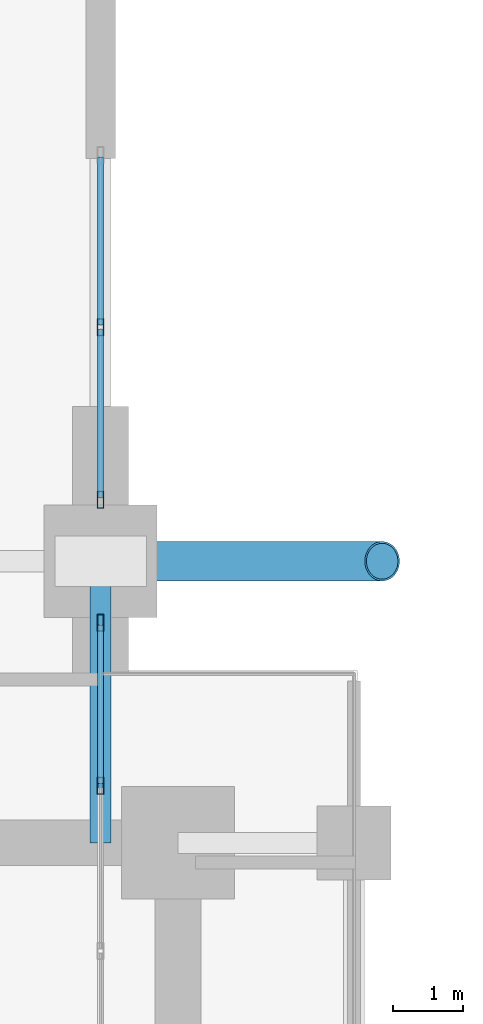
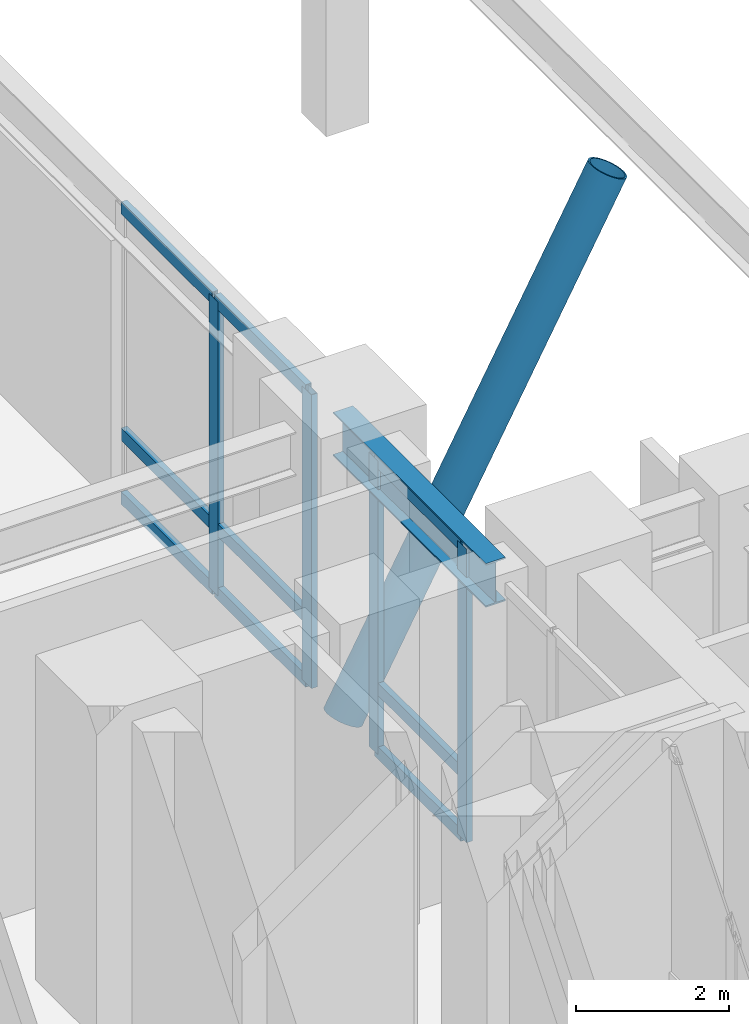
# One storey, part 11 of 27: 14 members, 1 beam, 2 elements without a shape of their own.
"""IFC4 building model written with IfcOpenShell, lengths in metres."""

from ifc_helpers import new_model, si_unit, direction, frame, origin, origin_2d, place, context, subcontext, project, spatial, hollow_rectangle, hollow_circle, i_section, extrude, material, layer, layer_set, material_profile, profile_set, type_object, element, aggregate, save


model = new_model("IFC4")

# Units and contexts
model_context = context("Model", 3, precision=1e-05, world=origin(), true_north=direction((0.0, 1.0)))
body_context = subcontext(model_context, "Body", "Model", "MODEL_VIEW")
ifc_project = project(units=[si_unit("LENGTHUNIT", "METRE"), si_unit("AREAUNIT", "SQUARE_METRE"), si_unit("VOLUMEUNIT", "CUBIC_METRE"), si_unit("PLANEANGLEUNIT", "RADIAN"), si_unit("MASSUNIT", "GRAM", prefix="KILO")], contexts=[model_context])

# Site, building, storey
site_placement = place(None, origin())
site = spatial("IfcSite", under=ifc_project, at=site_placement, CompositionType="ELEMENT")
building_placement = place(site_placement, origin())
building = spatial("IfcBuilding", under=site, at=building_placement, Name="Voryun Gate Residences", CompositionType="ELEMENT")
storey_placement = place(building_placement, frame((0.0, 0.0, 5.199951171875)))
storey = spatial("IfcBuildingStorey", under=building, at=storey_placement, Name="L01", CompositionType="ELEMENT", Elevation=5.199951171875)

# Beam
ifc_material_1 = material(Name="Steel SM355", Category="steel")
ifc_material_profile_1 = material_profile(ifc_material_1, i_section(OverallWidth=0.300048828125, OverallDepth=0.699951171875, WebThickness=0.012939453125, FlangeThickness=0.02392578125, FilletRadius=0.01806640625, at=origin_2d()), Name="H-700x300x13x24")
ifc_profile_set_1 = profile_set([ifc_material_profile_1], Name="Steel SM355")
beam_type = type_object("IfcBeamType", Name="BM_GIRD_700", PredefinedType="USERDEFINED", material=ifc_profile_set_1)
beam_placement = place(storey_placement, frame((-13.5, 7.39990234375, 4.570068359375), z_axis=(0.0, 1.0, 0.0), x_axis=(-1.0, 0.0, 0.0)))
element("IfcBeam", 1, at=beam_placement, inside=storey, type_object=beam_type, Name="BM-L01-PWYA-+7.4", ObjectType="GIRDER", PredefinedType="USERDEFINED", context=body_context, shape_type="SweptSolid", body=[
    extrude(i_section(OverallWidth=0.300048828125, OverallDepth=0.699951171875, WebThickness=0.012939453125, FlangeThickness=0.02392578125, FilletRadius=0.01806640625, at=origin_2d()), origin(), (0.0, 0.0, 1.0), 4.0),
])

# Curtain wall, members
ifc_material_2 = material(Name="Anodised aluminium", Category="aluminium")
ifc_layer = layer(ifc_material_2, 0.239990234375, Name="CW_SYS_ARCH_DARK_GLASS")
ifc_layer_set = layer_set([ifc_layer], Name="Anodised aluminium")
curtain_wall_type = type_object("IfcCurtainWallType", Name="CW_SYS_ARCH_DARK_GLASS", PredefinedType="NOTDEFINED", material=ifc_layer_set)
curtain_wall_1_placement = place(storey_placement, origin())
curtain_wall_1 = element("IfcCurtainWall", 2, at=curtain_wall_1_placement, inside=storey, type_object=curtain_wall_type, Name="Curtain wall CW2-L01-WP-M", PredefinedType="NOTDEFINED")
ifc_material_3 = material(Name="Anodised aluminium", Category="aluminium")
ifc_material_profile_2 = material_profile(ifc_material_3, hollow_rectangle(XDim=0.090087890625, YDim=0.239990234375, WallThickness=0.006103515625, at=origin_2d()), Name="ALU-MULL-240x90x6")
ifc_profile_set_2 = profile_set([ifc_material_profile_2], Name="Anodised aluminium")
member_type_1 = type_object("IfcMemberType", Name="CW_MULL_ARCH", PredefinedType="MULLION", material=ifc_profile_set_2)
member_1_placement = place(storey_placement, frame((-13.5, 8.20947265625, 0.0), z_axis=(0.0, 0.0, 1.0), x_axis=(-1.0, 0.0, 0.0)))
member_1 = element("IfcMember", 3, at=member_1_placement, type_object=member_type_1, Name="CW2 mullion 9", PredefinedType="MULLION", context=body_context, shape_type="SweptSolid", body=[
    extrude(hollow_rectangle(XDim=0.090087890625, YDim=0.239990234375, WallThickness=0.006103515625, at=origin_2d()), origin(), (0.0, 0.0, 1.0), 4.699951171875),
])
member_2_placement = place(storey_placement, frame((-13.5, 10.52490234375, 0.0), z_axis=(0.0, 0.0, 1.0), x_axis=(-1.0, 0.0, 0.0)))
member_2 = element("IfcMember", 4, at=member_2_placement, type_object=member_type_1, Name="CW2 mullion 10", PredefinedType="MULLION", context=body_context, shape_type="SweptSolid", body=[
    extrude(hollow_rectangle(XDim=0.090087890625, YDim=0.239990234375, WallThickness=0.006103515625, at=origin_2d()), origin(), (0.0, 0.0, 1.0), 4.699951171875),
])

curtain_wall_2_placement = place(storey_placement, origin())
curtain_wall_2 = element("IfcCurtainWall", 5, at=curtain_wall_2_placement, inside=storey, type_object=curtain_wall_type, Name="Curtain wall CW2-L01-WP-N", PredefinedType="NOTDEFINED")
member_3_placement = place(storey_placement, frame((-13.5, 12.27490234375, 0.0), z_axis=(0.0, 0.0, 1.0), x_axis=(-1.0, 0.0, 0.0)))
member_3 = element("IfcMember", 6, at=member_3_placement, type_object=member_type_1, Name="CW2 mullion 1", PredefinedType="MULLION", context=body_context, shape_type="SweptSolid", body=[
    extrude(hollow_rectangle(XDim=0.090087890625, YDim=0.239990234375, WallThickness=0.006103515625, at=origin_2d()), origin(), (0.0, 0.0, 1.0), 4.699951171875),
])
member_4_placement = place(storey_placement, frame((-13.5, 14.722412109375, 0.0), z_axis=(0.0, 0.0, 1.0), x_axis=(-1.0, 0.0, 0.0)))
member_4 = element("IfcMember", 7, at=member_4_placement, type_object=member_type_1, Name="CW2 mullion 2", PredefinedType="MULLION", context=body_context, shape_type="SweptSolid", body=[
    extrude(hollow_rectangle(XDim=0.090087890625, YDim=0.239990234375, WallThickness=0.006103515625, at=origin_2d()), origin(), (0.0, 0.0, 1.0), 4.699951171875),
])

# Member
ifc_material_4 = material(Name="Anodised aluminium", Category="aluminium")
ifc_material_profile_3 = material_profile(ifc_material_4, hollow_rectangle(XDim=0.090087890625, YDim=0.199951171875, WallThickness=0.006103515625, at=origin_2d()), Name="ALU-TRAN-200x90x6")
ifc_profile_set_3 = profile_set([ifc_material_profile_3], Name="Anodised aluminium")
member_type_2 = type_object("IfcMemberType", Name="CW_TRAN_ARCH", PredefinedType="USERDEFINED", material=ifc_profile_set_3)
member_5_placement = place(storey_placement, frame((-13.5, 8.239501953125, 0.030029296875), z_axis=(0.0, 1.0, 0.0), x_axis=(-1.0, 0.0, 0.0)))
member_5 = element("IfcMember", 8, at=member_5_placement, type_object=member_type_2, Name="CW2 transom 9.1", ObjectType="TRANSOM", PredefinedType="USERDEFINED", context=body_context, shape_type="SweptSolid", body=[
    extrude(hollow_rectangle(XDim=0.090087890625, YDim=0.199951171875, WallThickness=0.006103515625, at=origin_2d()), origin(), (0.0, 0.0, 1.0), 2.255615234375),
])

member_6_placement = place(storey_placement, frame((-13.5, 8.239501953125, 1.050048828125), z_axis=(0.0, 1.0, 0.0), x_axis=(-1.0, 0.0, 0.0)))
member_6 = element("IfcMember", 9, at=member_6_placement, type_object=member_type_2, Name="CW2 transom 9.2", ObjectType="TRANSOM", PredefinedType="USERDEFINED", context=body_context, shape_type="SweptSolid", body=[
    extrude(hollow_rectangle(XDim=0.090087890625, YDim=0.199951171875, WallThickness=0.006103515625, at=origin_2d()), origin(), (0.0, 0.0, 1.0), 2.255615234375),
])

member_7_placement = place(storey_placement, frame((-13.5, 8.239501953125, 4.670166015625), z_axis=(0.0, 1.0, 0.0), x_axis=(-1.0, 0.0, 0.0)))
member_7 = element("IfcMember", 10, at=member_7_placement, type_object=member_type_2, Name="CW2 transom 9.3", ObjectType="TRANSOM", PredefinedType="USERDEFINED", context=body_context, shape_type="SweptSolid", body=[
    extrude(hollow_rectangle(XDim=0.090087890625, YDim=0.199951171875, WallThickness=0.006103515625, at=origin_2d()), origin(), (0.0, 0.0, 1.0), 2.255615234375),
])

aggregate(curtain_wall_1, [member_1, member_2, member_5, member_6, member_7])

member_8_placement = place(storey_placement, frame((-13.5, 12.304931640625, 0.030029296875), z_axis=(0.0, 1.0, 0.0), x_axis=(-1.0, 0.0, 0.0)))
member_8 = element("IfcMember", 11, at=member_8_placement, type_object=member_type_2, Name="CW2 transom 1.1", ObjectType="TRANSOM", PredefinedType="USERDEFINED", context=body_context, shape_type="SweptSolid", body=[
    extrude(hollow_rectangle(XDim=0.090087890625, YDim=0.199951171875, WallThickness=0.006103515625, at=origin_2d()), origin(), (0.0, 0.0, 1.0), 2.387451171875),
])

member_9_placement = place(storey_placement, frame((-13.5, 12.304931640625, 1.050048828125), z_axis=(0.0, 1.0, 0.0), x_axis=(-1.0, 0.0, 0.0)))
member_9 = element("IfcMember", 12, at=member_9_placement, type_object=member_type_2, Name="CW2 transom 1.2", ObjectType="TRANSOM", PredefinedType="USERDEFINED", context=body_context, shape_type="SweptSolid", body=[
    extrude(hollow_rectangle(XDim=0.090087890625, YDim=0.199951171875, WallThickness=0.006103515625, at=origin_2d()), origin(), (0.0, 0.0, 1.0), 2.387451171875),
])

member_10_placement = place(storey_placement, frame((-13.5, 12.304931640625, 4.670166015625), z_axis=(0.0, 1.0, 0.0), x_axis=(-1.0, 0.0, 0.0)))
member_10 = element("IfcMember", 13, at=member_10_placement, type_object=member_type_2, Name="CW2 transom 1.3", ObjectType="TRANSOM", PredefinedType="USERDEFINED", context=body_context, shape_type="SweptSolid", body=[
    extrude(hollow_rectangle(XDim=0.090087890625, YDim=0.199951171875, WallThickness=0.006103515625, at=origin_2d()), origin(), (0.0, 0.0, 1.0), 2.387451171875),
])

member_11_placement = place(storey_placement, frame((-13.5, 14.75244140625, 0.030029296875), z_axis=(0.0, 1.0, 0.0), x_axis=(-1.0, 0.0, 0.0)))
member_11 = element("IfcMember", 14, at=member_11_placement, type_object=member_type_2, Name="CW2 transom 2.1", ObjectType="TRANSOM", PredefinedType="USERDEFINED", context=body_context, shape_type="SweptSolid", body=[
    extrude(hollow_rectangle(XDim=0.090087890625, YDim=0.199951171875, WallThickness=0.006103515625, at=origin_2d()), origin(), (0.0, 0.0, 1.0), 2.387451171875),
])

member_12_placement = place(storey_placement, frame((-13.5, 14.75244140625, 1.050048828125), z_axis=(0.0, 1.0, 0.0), x_axis=(-1.0, 0.0, 0.0)))
member_12 = element("IfcMember", 15, at=member_12_placement, type_object=member_type_2, Name="CW2 transom 2.2", ObjectType="TRANSOM", PredefinedType="USERDEFINED", context=body_context, shape_type="SweptSolid", body=[
    extrude(hollow_rectangle(XDim=0.090087890625, YDim=0.199951171875, WallThickness=0.006103515625, at=origin_2d()), origin(), (0.0, 0.0, 1.0), 2.387451171875),
])

member_13_placement = place(storey_placement, frame((-13.5, 14.75244140625, 4.670166015625), z_axis=(0.0, 1.0, 0.0), x_axis=(-1.0, 0.0, 0.0)))
member_13 = element("IfcMember", 16, at=member_13_placement, type_object=member_type_2, Name="CW2 transom 2.3", ObjectType="TRANSOM", PredefinedType="USERDEFINED", context=body_context, shape_type="SweptSolid", body=[
    extrude(hollow_rectangle(XDim=0.090087890625, YDim=0.199951171875, WallThickness=0.006103515625, at=origin_2d()), origin(), (0.0, 0.0, 1.0), 2.387451171875),
])

aggregate(curtain_wall_2, [member_3, member_4, member_8, member_9, member_10, member_11, member_12, member_13])

ifc_material_5 = material(Name="Steel SM420", Category="steel")
ifc_material_profile_4 = material_profile(ifc_material_5, hollow_circle(Radius=0.280029296875, WallThickness=0.02587890625, at=origin_2d()), Name="CHS-560x26")
ifc_profile_set_4 = profile_set([ifc_material_profile_4], Name="Steel SM420")
member_type_3 = type_object("IfcMemberType", Name="MBR_CANT_STRUT_B2", PredefinedType="STRUT", material=ifc_profile_set_4)
member_14_placement = place(storey_placement, frame((-13.5, 11.39990234375, 0.0), z_axis=(0.477007051349, 0.0, 0.878899466926), x_axis=(0.0, 1.0, 0.0)))
element("IfcMember", 17, at=member_14_placement, inside=storey, type_object=member_type_3, Name="Parabolic Tied-Arch Rib Member N Segment 1", PredefinedType="STRUT", context=body_context, shape_type="SweptSolid", body=[
    extrude(hollow_circle(Radius=0.280029296875, WallThickness=0.02587890625, at=origin_2d()), origin(), (0.0, 0.0, 1.0), 8.3857421875),
])

save(model, "model.ifc")
